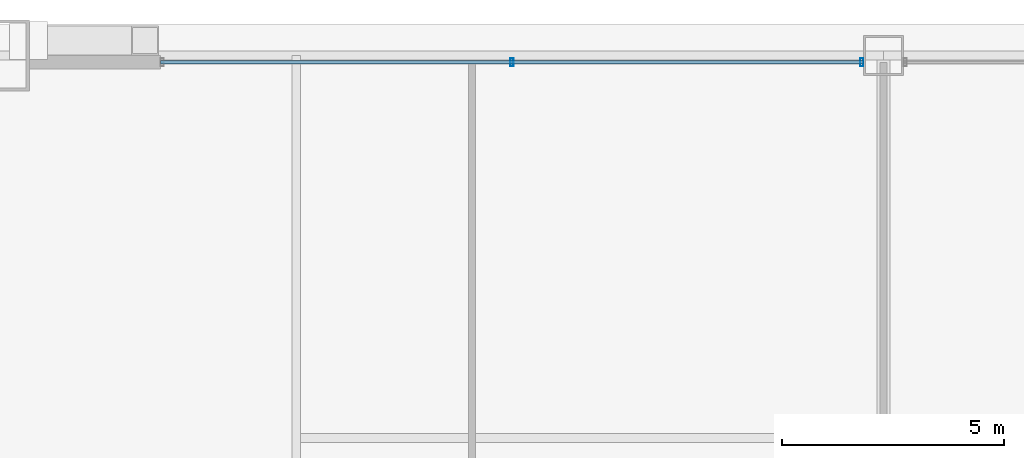
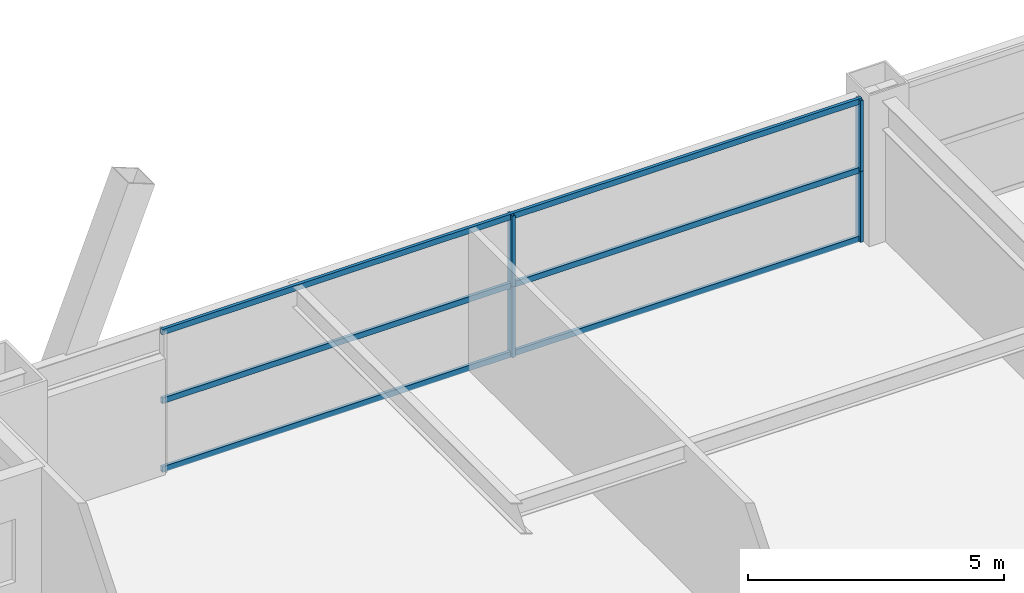
# One storey, part 29 of 43: 7 members, 1 element without a shape of its own.
"""IFC4 building model written with IfcOpenShell, lengths in metres."""

from ifc_helpers import new_model, si_unit, direction, frame, origin, origin_2d, place, context, subcontext, project, spatial, hollow_rectangle, extrude, source, transform, mapped, material, layer, layer_set, material_profile, profile_set, type_object, element, aggregate, save


model = new_model("IFC4")

# Units and contexts
model_context = context("Model", 3, precision=1e-05, world=origin(), true_north=direction((0.0, 1.0)))
body_context = subcontext(model_context, "Body", "Model", "MODEL_VIEW")
ifc_project = project(units=[si_unit("LENGTHUNIT", "METRE"), si_unit("AREAUNIT", "SQUARE_METRE"), si_unit("VOLUMEUNIT", "CUBIC_METRE"), si_unit("PLANEANGLEUNIT", "RADIAN"), si_unit("MASSUNIT", "GRAM", prefix="KILO"), si_unit("THERMODYNAMICTEMPERATUREUNIT", "KELVIN"), si_unit("POWERUNIT", "WATT")], contexts=[model_context])

# Site, building, storey
site_placement = place(None, origin())
site = spatial("IfcSite", under=ifc_project, at=site_placement, CompositionType="ELEMENT")
building_placement = place(site_placement, origin())
building = spatial("IfcBuilding", under=site, at=building_placement, Name="Yuzanri Waterfront Tower", CompositionType="ELEMENT")
storey_placement = place(building_placement, frame((0.0, 0.0, 108.199951171875)))
storey = spatial("IfcBuildingStorey", under=building, at=storey_placement, Name="L28", CompositionType="ELEMENT", Elevation=108.199951171875)

# Curtain wall, members
ifc_material_1 = material(Name="Anodized Architectural Bronze", Category="metal")
ifc_layer = layer(ifc_material_1, 0.159912109375)
ifc_layer_set = layer_set([ifc_layer], Name="Anodized Architectural Bronze")
curtain_wall_type = type_object("IfcCurtainWallType", Name="Anodized Bronze Hotel Upper-Tier Solar-Control Unitized Curtain Wall 7800", PredefinedType="NOTDEFINED", material=ifc_layer_set)
curtain_wall_placement = place(storey_placement, origin())
curtain_wall = element("IfcCurtainWall", 1, at=curtain_wall_placement, inside=storey, type_object=curtain_wall_type, Name="L28 Curtain Wall CW-L28-NL", PredefinedType="NOTDEFINED")
ifc_material_2 = material(Name="Anodized Architectural Bronze", Category="metal")
ifc_material_profile_1 = material_profile(ifc_material_2, hollow_rectangle(XDim=0.070068359375, YDim=0.179931640625, WallThickness=0.00390625, at=origin_2d()), Name="CWM 70x180")
ifc_profile_set_1 = profile_set([ifc_material_profile_1], Name="Anodized Architectural Bronze")
member_type_1 = type_object("IfcMemberType", Name="Anodized Bronze Standard Curtain-Wall Mullion 70x180", PredefinedType="MULLION", material=ifc_profile_set_1)
shared_shape_1 = source(origin(), body_context, "Body", "SweptSolid", [
    extrude(hollow_rectangle(XDim=0.070068359375, YDim=0.179931640625, WallThickness=0.00390625, at=origin_2d()), origin(), (0.0, 0.0, 1.0), 1.68798828125),
])
member_1_placement = place(storey_placement, frame((28.64990234375, 49.25, 0.0), z_axis=(0.0, 0.0, 1.0), x_axis=(1.0, 0.0, 0.0)))
member_1 = element("IfcMember", 2, at=member_1_placement, type_object=member_type_1, Name="CW-L28-NL Lower Mullion 01", PredefinedType="MULLION", context=body_context, shape_type="MappedRepresentation", body=[
    mapped(shared_shape_1, transform((0.0, 0.0, 0.0), scale=1.0)),
])
member_2_placement = place(storey_placement, frame((28.64990234375, 49.25, 1.692138671875), z_axis=(0.0, 0.0, 1.0), x_axis=(1.0, 0.0, 0.0)))
member_2 = element("IfcMember", 3, at=member_2_placement, type_object=member_type_1, Name="CW-L28-NL Upper Mullion 01", PredefinedType="MULLION", context=body_context, shape_type="MappedRepresentation", body=[
    mapped(shared_shape_1, transform((0.0, 0.0, 0.0), scale=1.0)),
])
member_3_placement = place(storey_placement, frame((36.510009765625, 49.25, 0.0), z_axis=(0.0, 0.0, 1.0), x_axis=(1.0, 0.0, 0.0)))
member_3 = element("IfcMember", 4, at=member_3_placement, type_object=member_type_1, Name="CW-L28-NL Lower Mullion 02", PredefinedType="MULLION", context=body_context, shape_type="MappedRepresentation", body=[
    mapped(shared_shape_1, transform((0.0, 0.0, 0.0), scale=1.0)),
])
member_4_placement = place(storey_placement, frame((36.510009765625, 49.25, 1.692138671875), z_axis=(0.0, 0.0, 1.0), x_axis=(1.0, 0.0, 0.0)))
member_4 = element("IfcMember", 5, at=member_4_placement, type_object=member_type_1, Name="CW-L28-NL Upper Mullion 02", PredefinedType="MULLION", context=body_context, shape_type="MappedRepresentation", body=[
    mapped(shared_shape_1, transform((0.0, 0.0, 0.0), scale=1.0)),
])
ifc_material_3 = material(Name="Anodized Architectural Bronze", Category="metal")
ifc_material_profile_2 = material_profile(ifc_material_3, hollow_rectangle(XDim=0.070068359375, YDim=0.135009765625, WallThickness=0.00341796875, at=origin_2d()), Name="CWT 70x135")
ifc_profile_set_2 = profile_set([ifc_material_profile_2], Name="Anodized Architectural Bronze")
member_type_2 = type_object("IfcMemberType", Name="Anodized Bronze Standard Curtain-Wall Transom 70x135", PredefinedType="USERDEFINED", material=ifc_profile_set_2)
shared_shape_2 = source(origin(), body_context, "Body", "SweptSolid", [
    extrude(hollow_rectangle(XDim=0.070068359375, YDim=0.135009765625, WallThickness=0.00341796875, at=origin_2d()), origin(), (0.0, 0.0, 1.0), 15.800048828125),
])
member_5_placement = place(storey_placement, frame((20.75, 49.25, 0.050048828125), z_axis=(1.0, 0.0, 0.0), x_axis=(0.0, 1.0, 0.0)))
member_5 = element("IfcMember", 6, at=member_5_placement, type_object=member_type_2, Name="CW-L28-NL Transom 1", ObjectType="TRANSOM", PredefinedType="USERDEFINED", context=body_context, shape_type="MappedRepresentation", body=[
    mapped(shared_shape_2, transform((0.0, 0.0, 0.0), scale=1.0)),
])
member_6_placement = place(storey_placement, frame((20.75, 49.25, 1.68994140625), z_axis=(1.0, 0.0, 0.0), x_axis=(0.0, 1.0, 0.0)))
member_6 = element("IfcMember", 7, at=member_6_placement, type_object=member_type_2, Name="CW-L28-NL Transom 2", ObjectType="TRANSOM", PredefinedType="USERDEFINED", context=body_context, shape_type="MappedRepresentation", body=[
    mapped(shared_shape_2, transform((0.0, 0.0, 0.0), scale=1.0)),
])
member_7_placement = place(storey_placement, frame((20.75, 49.25, 3.330078125), z_axis=(1.0, 0.0, 0.0), x_axis=(0.0, 1.0, 0.0)))
member_7 = element("IfcMember", 8, at=member_7_placement, type_object=member_type_2, Name="CW-L28-NL Transom 3", ObjectType="TRANSOM", PredefinedType="USERDEFINED", context=body_context, shape_type="MappedRepresentation", body=[
    mapped(shared_shape_2, transform((0.0, 0.0, 0.0), scale=1.0)),
])
aggregate(curtain_wall, [member_1, member_2, member_3, member_4, member_5, member_6, member_7])

save(model, "model.ifc")
